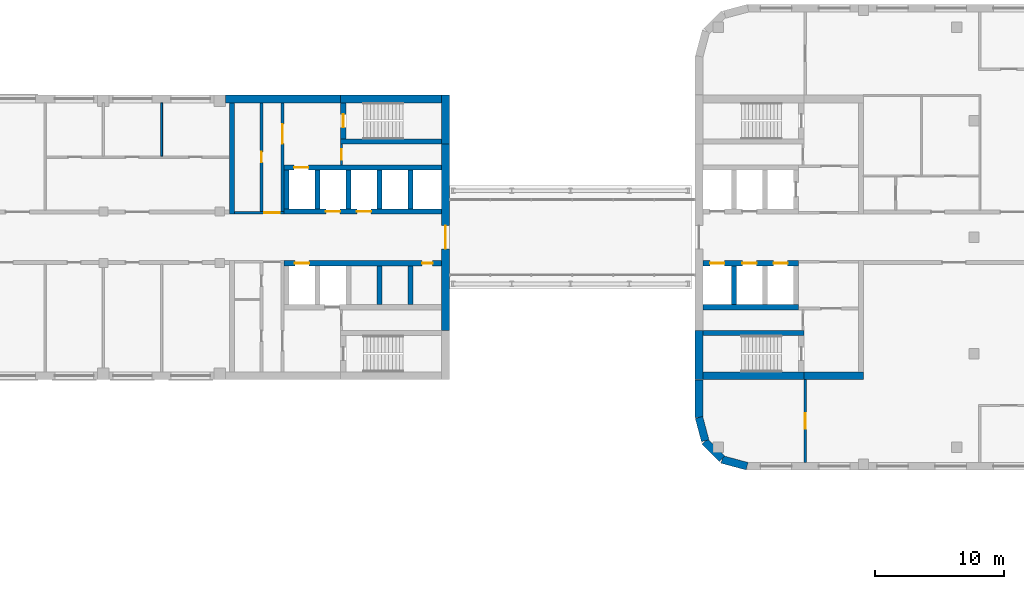
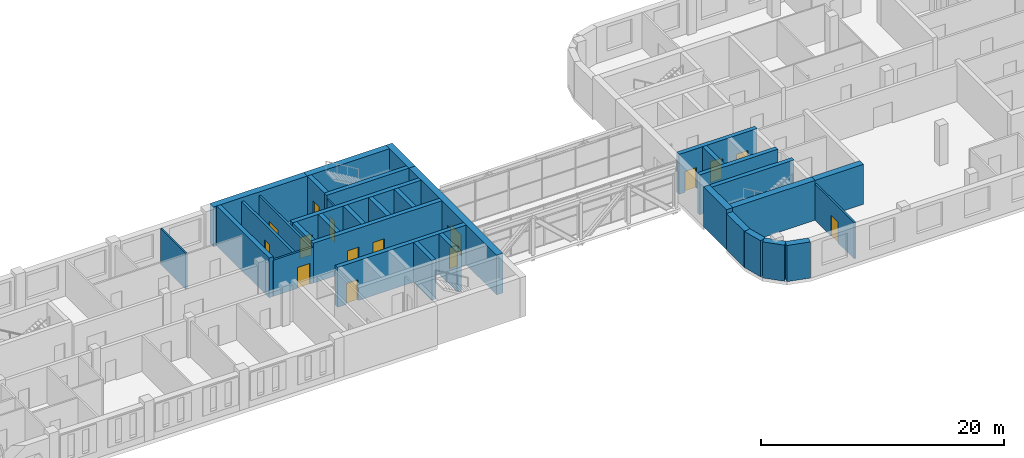
# One storey, part 9 of 18: 34 walls, 15 doors, 15 openings.
"""IFC4 building model written with IfcOpenShell, lengths in metres."""

from ifc_helpers import new_model, si_unit, direction, frame, frame_2d, origin, place, context, subcontext, project, spatial, rectangle, extrude, material, layer, layer_set, type_object, element, fill, save


model = new_model("IFC4")

# Units and contexts
model_context = context("Model", 3, precision=1e-05, world=origin(), true_north=direction((0.0, 1.0)))
body_context = subcontext(model_context, "Body", "Model", "MODEL_VIEW")
ifc_project = project(units=[si_unit("LENGTHUNIT", "METRE"), si_unit("AREAUNIT", "SQUARE_METRE"), si_unit("VOLUMEUNIT", "CUBIC_METRE"), si_unit("PLANEANGLEUNIT", "RADIAN"), si_unit("MASSUNIT", "GRAM", prefix="KILO")], contexts=[model_context])

# Site, building, storey
site_placement = place(None, origin())
site = spatial("IfcSite", under=ifc_project, at=site_placement, CompositionType="ELEMENT")
building_placement = place(site_placement, origin())
building = spatial("IfcBuilding", under=site, at=building_placement, Name="Skarvind Civic Tower", CompositionType="ELEMENT")
storey_placement = place(building_placement, frame((0.0, 0.0, 31.5)))
storey = spatial("IfcBuildingStorey", under=building, at=storey_placement, Name="L06", CompositionType="ELEMENT", Elevation=31.5)

# Wall, opening, door
ifc_material_1 = material(Name="Acoustic gypsum board on steel studs", Category="steel")
ifc_layer_1 = layer(ifc_material_1, 0.175048828125)
ifc_layer_set_1 = layer_set([ifc_layer_1], Name="ACOUSTIC MEETING-ROOM PARTITION 175")
wall_type_1 = type_object("IfcWallType", Name="ACOUSTIC MEETING-ROOM PARTITION 175", PredefinedType="PARTITIONING", material=ifc_layer_set_1)
wall_1_placement = place(storey_placement, frame((135.5, 117.0, 0.0), z_axis=(0.0, 0.0, 1.0), x_axis=(0.0, -1.0, 0.0)))
wall_1 = element("IfcWall", 1, at=wall_1_placement, inside=storey, type_object=wall_type_1, Name="Partition 06.001", PredefinedType="PARTITIONING", context=body_context, shape_type="SweptSolid", body=[
    extrude(rectangle(XDim=6.39990234375, YDim=0.175048828125, at=frame_2d((3.199951171875, 0.0))), origin(), (0.0, 0.0, 1.0), 3.625),
])
opening_1_placement = place(wall_1_placement, frame((2.60009765625, 0.0, 0.0)))
opening_1 = element("IfcOpeningElement", 2, at=opening_1_placement, cuts=wall_1, Name="Opening L06-D111", PredefinedType="OPENING", context=body_context, shape_type="SweptSolid", body=[
    extrude(rectangle(XDim=1.199951171875, YDim=2.10009765625, at=frame_2d((0.60009765625, 1.050048828125))), frame((0.0, 0.097412109375, 0.0), z_axis=(0.0, -1.0, 0.0), x_axis=(1.0, 0.0, 0.0)), (0.0, 0.0, 1.0), 0.195068359375),
])
ifc_material_2 = material(Name="Timber door leaf", Category="wood")
door_type_1 = type_object("IfcDoorType", Name="DOOR 1200X2100 DOUBLE TIMBER", OperationType="NOTDEFINED", PredefinedType="DOOR", material=ifc_material_2)
door_1_placement = place(opening_1_placement, origin())
door_1 = element("IfcDoor", 3, at=door_1_placement, inside=storey, type_object=door_type_1, Name="Door L06-D111", OperationType="DOUBLE_DOOR_SINGLE_SWING", OverallHeight=2.10009765625, OverallWidth=1.199951171875, PredefinedType="DOOR", context=body_context, shape_type="SweptSolid", body=[
    extrude(rectangle(XDim=1.199951171875, YDim=2.10009765625, at=frame_2d((0.60009765625, 1.050048828125))), frame((0.0, 0.02490234375, 0.0), z_axis=(0.0, -1.0, 0.0), x_axis=(1.0, 0.0, 0.0)), (0.0, 0.0, 1.0), 0.050048828125),
])
fill(opening_1, door_1)

ifc_material_3 = material(Name="Fire-rated masonry partition", Category="masonry")
ifc_layer_2 = layer(ifc_material_3, 0.199951171875)
ifc_layer_set_2 = layer_set([ifc_layer_2], Name="Core enclosure wall 200")
wall_type_2 = type_object("IfcWallType", Name="Core enclosure wall 200", PredefinedType="PARTITIONING", material=ifc_layer_set_2)
wall_2_placement = place(storey_placement, frame((91.39990234375, 129.89990234375, 0.0), z_axis=(0.0, 0.0, 1.0), x_axis=(1.0, 0.0, 0.0)))
wall_2 = element("IfcWall", 4, at=wall_2_placement, inside=storey, type_object=wall_type_2, Name="Core wall C1", PredefinedType="PARTITIONING", context=body_context, shape_type="SweptSolid", body=[
    extrude(rectangle(XDim=3.800048828125, YDim=0.199951171875, at=frame_2d((1.89990234375, 0.0))), origin(), (0.0, 0.0, 1.0), 3.625),
])
opening_2_placement = place(wall_2_placement, frame((2.300048828125, 0.0, 0.0)))
opening_2 = element("IfcOpeningElement", 5, at=opening_2_placement, cuts=wall_2, Name="Opening D-L06-C1-11", PredefinedType="OPENING", context=body_context, shape_type="SweptSolid", body=[
    extrude(rectangle(XDim=1.199951171875, YDim=2.10009765625, at=frame_2d((0.60009765625, 1.050048828125))), frame((0.0, 0.10986328125, 0.0), z_axis=(0.0, -1.0, 0.0), x_axis=(1.0, 0.0, 0.0)), (0.0, 0.0, 1.0), 0.219970703125),
])
ifc_material_4 = material(Name="Fire-rated steel door", Category="steel")
door_type_2 = type_object("IfcDoorType", Name="Core lobby door 1200", OperationType="NOTDEFINED", PredefinedType="DOOR", material=ifc_material_4)
door_2_placement = place(opening_2_placement, origin())
door_2 = element("IfcDoor", 6, at=door_2_placement, inside=storey, type_object=door_type_2, Name="Fire door", OperationType="DOUBLE_DOOR_SINGLE_SWING", OverallHeight=2.10009765625, OverallWidth=1.199951171875, PredefinedType="DOOR", context=body_context, shape_type="SweptSolid", body=[
    extrude(rectangle(XDim=1.199951171875, YDim=2.10009765625, at=frame_2d((0.60009765625, 1.050048828125))), frame((0.0, 0.02490234375, 0.0), z_axis=(0.0, -1.0, 0.0), x_axis=(1.0, 0.0, 0.0)), (0.0, 0.0, 1.0), 0.050048828125),
])
fill(opening_2, door_2)

wall_3_placement = place(storey_placement, frame((95.10009765625, 130.0, 0.0), z_axis=(0.0, 0.0, 1.0), x_axis=(0.0, 1.0, 0.0)))
wall_3 = element("IfcWall", 7, at=wall_3_placement, inside=storey, type_object=wall_type_2, Name="Core wall C1", PredefinedType="PARTITIONING", context=body_context, shape_type="SweptSolid", body=[
    extrude(rectangle(XDim=8.39990234375, YDim=0.199951171875, at=frame_2d((4.199951171875, 0.0))), origin(), (0.0, 0.0, 1.0), 3.625),
])
opening_3_placement = place(wall_3_placement, frame((5.25, 0.0, 0.0)))
opening_3 = element("IfcOpeningElement", 8, at=opening_3_placement, cuts=wall_3, Name="Opening D-L06-C1-12", PredefinedType="OPENING", context=body_context, shape_type="SweptSolid", body=[
    extrude(rectangle(XDim=1.5, YDim=2.10009765625, at=frame_2d((0.75, 1.050048828125))), frame((0.0, 0.10986328125, 0.0), z_axis=(0.0, -1.0, 0.0), x_axis=(1.0, 0.0, 0.0)), (0.0, 0.0, 1.0), 0.219970703125),
])
door_type_3 = type_object("IfcDoorType", Name="Fire door 1500", OperationType="NOTDEFINED", PredefinedType="DOOR", material=ifc_material_4)
door_3_placement = place(opening_3_placement, origin())
door_3 = element("IfcDoor", 9, at=door_3_placement, inside=storey, type_object=door_type_3, Name="Fire door", OperationType="DOUBLE_DOOR_SINGLE_SWING", OverallHeight=2.10009765625, OverallWidth=1.5, PredefinedType="DOOR", context=body_context, shape_type="SweptSolid", body=[
    extrude(rectangle(XDim=1.5, YDim=2.10009765625, at=frame_2d((0.75, 1.050048828125))), frame((0.0, 0.02490234375, 0.0), z_axis=(0.0, -1.0, 0.0), x_axis=(1.0, 0.0, 0.0)), (0.0, 0.0, 1.0), 0.050048828125),
])
fill(opening_3, door_3)

# Wall
ifc_material_5 = material(Name="Concrete C80", Category="concrete")
ifc_layer_3 = layer(ifc_material_5, 0.39990234375)
ifc_layer_set_3 = layer_set([ifc_layer_3], Name="Core wall 400 C80")
wall_type_3 = type_object("IfcWallType", Name="Core wall 400 C80", PredefinedType="SHEAR", material=ifc_layer_set_3)
wall_4_placement = place(storey_placement, frame((107.39990234375, 135.39990234375, 0.0), z_axis=(0.0, 0.0, 1.0), x_axis=(-1.0, 0.0, 0.0)))
element("IfcWall", 10, at=wall_4_placement, inside=storey, type_object=wall_type_3, Name="Core wall C1 south stair inner L06", PredefinedType="SHEAR", context=body_context, shape_type="SweptSolid", body=[
    extrude(rectangle(XDim=7.7998046875, YDim=0.39990234375, at=frame_2d((3.89990234375, 0.0))), origin(), (0.0, 0.0, 1.0), 4.0),
])

# Wall, opening, door
wall_5_placement = place(storey_placement, frame((99.800048828125, 138.39990234375, 0.0), z_axis=(0.0, 0.0, 1.0), x_axis=(0.0, -1.0, 0.0)))
wall_5 = element("IfcWall", 11, at=wall_5_placement, inside=storey, type_object=wall_type_3, Name="Core wall C1 south stair end L06", PredefinedType="SHEAR", context=body_context, shape_type="SweptSolid", body=[
    extrude(rectangle(XDim=2.7998046875, YDim=0.39990234375, at=frame_2d((1.39990234375, 0.0))), origin(), (0.0, 0.0, 1.0), 4.0),
])
opening_4_placement = place(wall_5_placement, frame((0.89990234375, 0.0, 0.0)))
opening_4 = element("IfcOpeningElement", 12, at=opening_4_placement, cuts=wall_5, Name="Opening D-L06-C1-13", PredefinedType="OPENING", context=body_context, shape_type="SweptSolid", body=[
    extrude(rectangle(XDim=1.0, YDim=2.10009765625, at=frame_2d((0.5, 1.050048828125))), frame((0.0, 0.2099609375, 0.0), z_axis=(0.0, -1.0, 0.0), x_axis=(1.0, 0.0, 0.0)), (0.0, 0.0, 1.0), 0.419921875),
])
door_type_4 = type_object("IfcDoorType", Name="Fire door 1000", OperationType="NOTDEFINED", PredefinedType="DOOR", material=ifc_material_4)
door_4_placement = place(opening_4_placement, origin())
door_4 = element("IfcDoor", 13, at=door_4_placement, inside=storey, type_object=door_type_4, Name="Fire door", OperationType="SINGLE_SWING_RIGHT", OverallHeight=2.10009765625, OverallWidth=1.0, PredefinedType="DOOR", context=body_context, shape_type="SweptSolid", body=[
    extrude(rectangle(XDim=1.0, YDim=2.10009765625, at=frame_2d((0.5, 1.050048828125))), frame((0.0, 0.02490234375, 0.0), z_axis=(0.0, -1.0, 0.0), x_axis=(1.0, 0.0, 0.0)), (0.0, 0.0, 1.0), 0.050048828125),
])
fill(opening_4, door_4)

# Wall, openings, doors
wall_6_placement = place(storey_placement, frame((107.39990234375, 130.0, 0.0), z_axis=(0.0, 0.0, 1.0), x_axis=(-1.0, 0.0, 0.0)))
wall_6 = element("IfcWall", 14, at=wall_6_placement, inside=storey, type_object=wall_type_3, Name="Core wall C1 south lift row front L06", PredefinedType="SHEAR", context=body_context, shape_type="SweptSolid", body=[
    extrude(rectangle(XDim=12.199951171875, YDim=0.39990234375, at=frame_2d((6.10009765625, 0.0))), origin(), (0.0, 0.0, 1.0), 4.0),
])
opening_5_placement = place(wall_6_placement, frame((5.449951171875, 0.0, 0.0)))
opening_5 = element("IfcOpeningElement", 15, at=opening_5_placement, cuts=wall_6, Name="Opening LD08108", PredefinedType="OPENING", context=body_context, shape_type="SweptSolid", body=[
    extrude(rectangle(XDim=1.10009765625, YDim=2.10009765625, at=frame_2d((0.550048828125, 1.050048828125))), frame((0.0, 0.2099609375, 0.0), z_axis=(0.0, -1.0, 0.0), x_axis=(1.0, 0.0, 0.0)), (0.0, 0.0, 1.0), 0.419921875),
])
opening_6_placement = place(wall_6_placement, frame((7.85009765625, 0.0, 0.0)))
opening_6 = element("IfcOpeningElement", 16, at=opening_6_placement, cuts=wall_6, Name="Opening LD08109", PredefinedType="OPENING", context=body_context, shape_type="SweptSolid", body=[
    extrude(rectangle(XDim=1.10009765625, YDim=2.10009765625, at=frame_2d((0.550048828125, 1.050048828125))), frame((0.0, 0.2099609375, 0.0), z_axis=(0.0, -1.0, 0.0), x_axis=(1.0, 0.0, 0.0)), (0.0, 0.0, 1.0), 0.419921875),
])
ifc_material_6 = material(Name="Stainless steel landing door", Category="steel")
door_type_5 = type_object("IfcDoorType", Name="Lift landing door 1100", OperationType="DOUBLE_DOOR_SLIDING", PredefinedType="DOOR", material=ifc_material_6)
door_5_placement = place(opening_5_placement, origin())
door_5 = element("IfcDoor", 17, at=door_5_placement, inside=storey, type_object=door_type_5, Name="Lift landing door", OperationType="DOUBLE_DOOR_SLIDING", OverallHeight=2.10009765625, OverallWidth=1.10009765625, PredefinedType="DOOR", context=body_context, shape_type="SweptSolid", body=[
    extrude(rectangle(XDim=1.10009765625, YDim=2.10009765625, at=frame_2d((0.550048828125, 1.050048828125))), frame((0.0, 0.02490234375, 0.0), z_axis=(0.0, -1.0, 0.0), x_axis=(1.0, 0.0, 0.0)), (0.0, 0.0, 1.0), 0.050048828125),
])
fill(opening_5, door_5)
door_6_placement = place(opening_6_placement, origin())
door_6 = element("IfcDoor", 18, at=door_6_placement, inside=storey, type_object=door_type_5, Name="Lift landing door", OperationType="DOUBLE_DOOR_SLIDING", OverallHeight=2.10009765625, OverallWidth=1.10009765625, PredefinedType="DOOR", context=body_context, shape_type="SweptSolid", body=[
    extrude(rectangle(XDim=1.10009765625, YDim=2.10009765625, at=frame_2d((0.550048828125, 1.050048828125))), frame((0.0, 0.02490234375, 0.0), z_axis=(0.0, -1.0, 0.0), x_axis=(1.0, 0.0, 0.0)), (0.0, 0.0, 1.0), 0.050048828125),
])
fill(opening_6, door_6)

# Wall, opening, door
wall_7_placement = place(storey_placement, frame((107.39990234375, 133.39990234375, 0.0), z_axis=(0.0, 0.0, 1.0), x_axis=(-1.0, 0.0, 0.0)))
wall_7 = element("IfcWall", 19, at=wall_7_placement, inside=storey, type_object=wall_type_3, Name="Core wall C1 south lift row back L06", PredefinedType="SHEAR", context=body_context, shape_type="SweptSolid", body=[
    extrude(rectangle(XDim=12.199951171875, YDim=0.39990234375, at=frame_2d((6.10009765625, 0.0))), origin(), (0.0, 0.0, 1.0), 4.0),
])
opening_7_placement = place(wall_7_placement, frame((10.300048828125, 0.0, 0.0)))
opening_7 = element("IfcOpeningElement", 20, at=opening_7_placement, cuts=wall_7, Name="Opening LD08110", PredefinedType="OPENING", context=body_context, shape_type="SweptSolid", body=[
    extrude(rectangle(XDim=1.10009765625, YDim=2.10009765625, at=frame_2d((0.550048828125, 1.050048828125))), frame((0.0, 0.2099609375, 0.0), z_axis=(0.0, -1.0, 0.0), x_axis=(1.0, 0.0, 0.0)), (0.0, 0.0, 1.0), 0.419921875),
])
door_7_placement = place(opening_7_placement, origin())
door_7 = element("IfcDoor", 21, at=door_7_placement, inside=storey, type_object=door_type_5, Name="Lift landing door", OperationType="DOUBLE_DOOR_SLIDING", OverallHeight=2.10009765625, OverallWidth=1.10009765625, PredefinedType="DOOR", context=body_context, shape_type="SweptSolid", body=[
    extrude(rectangle(XDim=1.10009765625, YDim=2.10009765625, at=frame_2d((0.550048828125, 1.050048828125))), frame((0.0, 0.02490234375, 0.0), z_axis=(0.0, -1.0, 0.0), x_axis=(1.0, 0.0, 0.0)), (0.0, 0.0, 1.0), 0.050048828125),
])
fill(opening_7, door_7)

# Walls
for number, where, z_axis, x_axis, name in (
    (22, (105.0, 133.199951171875, 0.0), (0.0, 0.0, 1.0), (0.0, -1.0, 0.0), "Core wall C1 south lift row division 1 L06"),
    (23, (102.60009765625, 133.199951171875, 0.0), (0.0, 0.0, 1.0), (0.0, -1.0, 0.0), "Core wall C1 south lift row division 2 L06"),
    (24, (100.199951171875, 133.199951171875, 0.0), (0.0, 0.0, 1.0), (0.0, -1.0, 0.0), "Core wall C1 south lift row division 3 L06"),
    (25, (97.800048828125, 133.199951171875, 0.0), (0.0, 0.0, 1.0), (0.0, -1.0, 0.0), "Core wall C1 south lift row division 4 L06"),
    (26, (95.39990234375, 133.199951171875, 0.0), (0.0, 0.0, 1.0), (0.0, -1.0, 0.0), "Core wall C1 south lift row division 5 L06"),
):
    element("IfcWall", number, at=place(storey_placement, frame(where, z_axis=z_axis, x_axis=x_axis)), inside=storey, type_object=wall_type_3, Name=name, PredefinedType="SHEAR", context=body_context, shape_type="SweptSolid", body=[
        extrude(rectangle(XDim=3.0, YDim=0.39990234375, at=frame_2d((1.5, 0.0))), origin(), (0.0, 0.0, 1.0), 4.0),
    ])

# Wall, openings, doors
wall_8_placement = place(storey_placement, frame((107.39990234375, 126.0, 0.0), z_axis=(0.0, 0.0, 1.0), x_axis=(-1.0, 0.0, 0.0)))
wall_8 = element("IfcWall", 27, at=wall_8_placement, inside=storey, type_object=wall_type_3, Name="Core wall C1 north lift row front L06", PredefinedType="SHEAR", context=body_context, shape_type="SweptSolid", body=[
    extrude(rectangle(XDim=12.199951171875, YDim=0.39990234375, at=frame_2d((6.10009765625, 0.0))), origin(), (0.0, 0.0, 1.0), 4.0),
])
opening_8_placement = place(wall_8_placement, frame((10.25, 0.0, 0.0)))
opening_8 = element("IfcOpeningElement", 28, at=opening_8_placement, cuts=wall_8, Name="Opening LD08105", PredefinedType="OPENING", context=body_context, shape_type="SweptSolid", body=[
    extrude(rectangle(XDim=1.10009765625, YDim=2.10009765625, at=frame_2d((0.550048828125, 1.050048828125))), frame((0.0, 0.2099609375, 0.0), z_axis=(0.0, -1.0, 0.0), x_axis=(1.0, 0.0, 0.0)), (0.0, 0.0, 1.0), 0.419921875),
])
opening_9_placement = place(wall_8_placement, frame((0.699951171875, 0.0, 0.0)))
opening_9 = element("IfcOpeningElement", 29, at=opening_9_placement, cuts=wall_8, Name="Opening D-L06-C1-04", PredefinedType="OPENING", context=body_context, shape_type="SweptSolid", body=[
    extrude(rectangle(XDim=0.800048828125, YDim=2.10009765625, at=frame_2d((0.39990234375, 1.050048828125))), frame((0.0, 0.2099609375, 0.0), z_axis=(0.0, -1.0, 0.0), x_axis=(1.0, 0.0, 0.0)), (0.0, 0.0, 1.0), 0.419921875),
])
door_type_6 = type_object("IfcDoorType", Name="Core riser door 800", OperationType="NOTDEFINED", PredefinedType="DOOR", material=ifc_material_4)
door_8_placement = place(opening_9_placement, origin())
door_8 = element("IfcDoor", 30, at=door_8_placement, inside=storey, type_object=door_type_6, Name="Riser door", OperationType="SINGLE_SWING_LEFT", OverallHeight=2.10009765625, OverallWidth=0.800048828125, PredefinedType="DOOR", context=body_context, shape_type="SweptSolid", body=[
    extrude(rectangle(XDim=0.800048828125, YDim=2.10009765625, at=frame_2d((0.39990234375, 1.050048828125))), frame((0.0, 0.02490234375, 0.0), z_axis=(0.0, -1.0, 0.0), x_axis=(1.0, 0.0, 0.0)), (0.0, 0.0, 1.0), 0.050048828125),
])
fill(opening_9, door_8)
door_9_placement = place(opening_8_placement, origin())
door_9 = element("IfcDoor", 31, at=door_9_placement, inside=storey, type_object=door_type_5, Name="Lift landing door", OperationType="DOUBLE_DOOR_SLIDING", OverallHeight=2.10009765625, OverallWidth=1.10009765625, PredefinedType="DOOR", context=body_context, shape_type="SweptSolid", body=[
    extrude(rectangle(XDim=1.10009765625, YDim=2.10009765625, at=frame_2d((0.550048828125, 1.050048828125))), frame((0.0, 0.02490234375, 0.0), z_axis=(0.0, -1.0, 0.0), x_axis=(1.0, 0.0, 0.0)), (0.0, 0.0, 1.0), 0.050048828125),
])
fill(opening_8, door_9)

# Walls
for number, where, z_axis, x_axis, name in (
    (32, (105.0, 125.800048828125, 0.0), (0.0, 0.0, 1.0), (0.0, -1.0, 0.0), "Core wall C1 north lift row division 1 L06"),
    (33, (102.60009765625, 125.800048828125, 0.0), (0.0, 0.0, 1.0), (0.0, -1.0, 0.0), "Core wall C1 north lift row division 2 L06"),
):
    element("IfcWall", number, at=place(storey_placement, frame(where, z_axis=z_axis, x_axis=x_axis)), inside=storey, type_object=wall_type_3, Name=name, PredefinedType="SHEAR", context=body_context, shape_type="SweptSolid", body=[
        extrude(rectangle(XDim=3.0, YDim=0.39990234375, at=frame_2d((1.5, 0.0))), origin(), (0.0, 0.0, 1.0), 4.0),
    ])
wall_9_placement = place(storey_placement, frame((91.199951171875, 138.39990234375, 0.0), z_axis=(0.0, 0.0, 1.0), x_axis=(0.0, -1.0, 0.0)))
element("IfcWall", 34, at=wall_9_placement, inside=storey, type_object=wall_type_3, Name="Core wall C1 south inner face L06", PredefinedType="SHEAR", context=body_context, shape_type="SweptSolid", body=[
    extrude(rectangle(XDim=8.599853515625, YDim=0.39990234375, at=frame_2d((4.2998046875, 0.0))), origin(), (0.0, 0.0, 1.0), 4.0),
])
wall_10_placement = place(storey_placement, frame((127.60009765625, 120.60009765625, 0.0), z_axis=(0.0, 0.0, 1.0), x_axis=(1.0, 0.0, 0.0)))
element("IfcWall", 35, at=wall_10_placement, inside=storey, type_object=wall_type_3, Name="Core wall CA south stair inner L06", PredefinedType="SHEAR", context=body_context, shape_type="SweptSolid", body=[
    extrude(rectangle(XDim=7.7998046875, YDim=0.39990234375, at=frame_2d((3.89990234375, 0.0))), origin(), (0.0, 0.0, 1.0), 4.0),
])

# Wall, openings, doors
wall_11_placement = place(storey_placement, frame((127.60009765625, 126.0, 0.0), z_axis=(0.0, 0.0, 1.0), x_axis=(1.0, 0.0, 0.0)))
wall_11 = element("IfcWall", 36, at=wall_11_placement, inside=storey, type_object=wall_type_3, Name="Core wall CA south lift row front L06", PredefinedType="SHEAR", context=body_context, shape_type="SweptSolid", body=[
    extrude(rectangle(XDim=7.39990234375, YDim=0.39990234375, at=frame_2d((3.699951171875, 0.0))), origin(), (0.0, 0.0, 1.0), 4.0),
])
opening_10_placement = place(wall_11_placement, frame((0.550048828125, 0.0, 0.0)))
opening_10 = element("IfcOpeningElement", 37, at=opening_10_placement, cuts=wall_11, Name="Opening LD08304", PredefinedType="OPENING", context=body_context, shape_type="SweptSolid", body=[
    extrude(rectangle(XDim=1.10009765625, YDim=2.10009765625, at=frame_2d((0.550048828125, 1.050048828125))), frame((0.0, 0.2099609375, 0.0), z_axis=(0.0, -1.0, 0.0), x_axis=(1.0, 0.0, 0.0)), (0.0, 0.0, 1.0), 0.419921875),
])
opening_11_placement = place(wall_11_placement, frame((3.050048828125, 0.0, 0.0)))
opening_11 = element("IfcOpeningElement", 38, at=opening_11_placement, cuts=wall_11, Name="Opening LD08305", PredefinedType="OPENING", context=body_context, shape_type="SweptSolid", body=[
    extrude(rectangle(XDim=1.10009765625, YDim=2.10009765625, at=frame_2d((0.550048828125, 1.050048828125))), frame((0.0, 0.2099609375, 0.0), z_axis=(0.0, -1.0, 0.0), x_axis=(1.0, 0.0, 0.0)), (0.0, 0.0, 1.0), 0.419921875),
])
opening_12_placement = place(wall_11_placement, frame((5.449951171875, 0.0, 0.0)))
opening_12 = element("IfcOpeningElement", 39, at=opening_12_placement, cuts=wall_11, Name="Opening LD08306", PredefinedType="OPENING", context=body_context, shape_type="SweptSolid", body=[
    extrude(rectangle(XDim=1.10009765625, YDim=2.10009765625, at=frame_2d((0.550048828125, 1.050048828125))), frame((0.0, 0.2099609375, 0.0), z_axis=(0.0, -1.0, 0.0), x_axis=(1.0, 0.0, 0.0)), (0.0, 0.0, 1.0), 0.419921875),
])
door_10_placement = place(opening_10_placement, origin())
door_10 = element("IfcDoor", 40, at=door_10_placement, inside=storey, type_object=door_type_5, Name="Lift landing door", OperationType="DOUBLE_DOOR_SLIDING", OverallHeight=2.10009765625, OverallWidth=1.10009765625, PredefinedType="DOOR", context=body_context, shape_type="SweptSolid", body=[
    extrude(rectangle(XDim=1.10009765625, YDim=2.10009765625, at=frame_2d((0.550048828125, 1.050048828125))), frame((0.0, 0.02490234375, 0.0), z_axis=(0.0, -1.0, 0.0), x_axis=(1.0, 0.0, 0.0)), (0.0, 0.0, 1.0), 0.050048828125),
])
fill(opening_10, door_10)
door_11_placement = place(opening_11_placement, origin())
door_11 = element("IfcDoor", 41, at=door_11_placement, inside=storey, type_object=door_type_5, Name="Lift landing door", OperationType="DOUBLE_DOOR_SLIDING", OverallHeight=2.10009765625, OverallWidth=1.10009765625, PredefinedType="DOOR", context=body_context, shape_type="SweptSolid", body=[
    extrude(rectangle(XDim=1.10009765625, YDim=2.10009765625, at=frame_2d((0.550048828125, 1.050048828125))), frame((0.0, 0.02490234375, 0.0), z_axis=(0.0, -1.0, 0.0), x_axis=(1.0, 0.0, 0.0)), (0.0, 0.0, 1.0), 0.050048828125),
])
fill(opening_11, door_11)
door_12_placement = place(opening_12_placement, origin())
door_12 = element("IfcDoor", 42, at=door_12_placement, inside=storey, type_object=door_type_5, Name="Lift landing door", OperationType="DOUBLE_DOOR_SLIDING", OverallHeight=2.10009765625, OverallWidth=1.10009765625, PredefinedType="DOOR", context=body_context, shape_type="SweptSolid", body=[
    extrude(rectangle(XDim=1.10009765625, YDim=2.10009765625, at=frame_2d((0.550048828125, 1.050048828125))), frame((0.0, 0.02490234375, 0.0), z_axis=(0.0, -1.0, 0.0), x_axis=(1.0, 0.0, 0.0)), (0.0, 0.0, 1.0), 0.050048828125),
])
fill(opening_12, door_12)

# Walls
wall_12_placement = place(storey_placement, frame((127.60009765625, 122.60009765625, 0.0), z_axis=(0.0, 0.0, 1.0), x_axis=(1.0, 0.0, 0.0)))
element("IfcWall", 43, at=wall_12_placement, inside=storey, type_object=wall_type_3, Name="Core wall CA south lift row back L06", PredefinedType="SHEAR", context=body_context, shape_type="SweptSolid", body=[
    extrude(rectangle(XDim=7.39990234375, YDim=0.39990234375, at=frame_2d((3.699951171875, 0.0))), origin(), (0.0, 0.0, 1.0), 4.0),
])
wall_13_placement = place(storey_placement, frame((130.0, 122.800048828125, 0.0), z_axis=(0.0, 0.0, 1.0), x_axis=(0.0, 1.0, 0.0)))
element("IfcWall", 44, at=wall_13_placement, inside=storey, type_object=wall_type_3, Name="Core wall CA south lift row division 1 L06", PredefinedType="SHEAR", context=body_context, shape_type="SweptSolid", body=[
    extrude(rectangle(XDim=3.0, YDim=0.39990234375, at=frame_2d((1.5, 0.0))), origin(), (0.0, 0.0, 1.0), 4.0),
])
ifc_layer_4 = layer(ifc_material_5, 0.60009765625)
ifc_layer_set_4 = layer_set([ifc_layer_4], Name="Core wall 600 C80")
wall_type_4 = type_object("IfcWallType", Name="Core wall 600 C80", PredefinedType="SHEAR", material=ifc_layer_set_4)
wall_14_placement = place(storey_placement, frame((107.699951171875, 139.0, 0.0), z_axis=(0.0, 0.0, 1.0), x_axis=(0.0, -1.0, 0.0)))
element("IfcWall", 45, at=wall_14_placement, inside=storey, type_object=wall_type_4, Name="Core wall C1 tip at the south stair L06", PredefinedType="SHEAR", context=body_context, shape_type="SweptSolid", body=[
    extrude(rectangle(XDim=3.800048828125, YDim=0.60009765625, at=frame_2d((1.89990234375, 0.0))), origin(), (0.0, 0.0, 1.0), 4.0),
])

# Wall, opening, door
wall_15_placement = place(storey_placement, frame((107.699951171875, 135.199951171875, 0.0), z_axis=(0.0, 0.0, 1.0), x_axis=(0.0, -1.0, 0.0)))
wall_15 = element("IfcWall", 46, at=wall_15_placement, inside=storey, type_object=wall_type_4, Name="Core wall C1 tip between the stairs L06", PredefinedType="SHEAR", context=body_context, shape_type="SweptSolid", body=[
    extrude(rectangle(XDim=14.39990234375, YDim=0.60009765625, at=frame_2d((7.199951171875, 0.0))), origin(), (0.0, 0.0, 1.0), 4.0),
])
opening_13_placement = place(wall_15_placement, frame((6.300048828125, 0.0, 0.0)))
opening_13 = element("IfcOpeningElement", 47, at=opening_13_placement, cuts=wall_15, Name="Opening D-L06-C1-18", PredefinedType="OPENING", context=body_context, shape_type="SweptSolid", body=[
    extrude(rectangle(XDim=1.800048828125, YDim=2.10009765625, at=frame_2d((0.89990234375, 1.050048828125))), frame((0.0, 0.31005859375, 0.0), z_axis=(0.0, -1.0, 0.0), x_axis=(1.0, 0.0, 0.0)), (0.0, 0.0, 1.0), 0.6201171875),
])
door_type_7 = type_object("IfcDoorType", Name="Fire door pair 1800", OperationType="NOTDEFINED", PredefinedType="DOOR", material=ifc_material_4)
door_13_placement = place(opening_13_placement, origin())
door_13 = element("IfcDoor", 48, at=door_13_placement, inside=storey, type_object=door_type_7, Name="Bridge door", OperationType="DOUBLE_DOOR_SINGLE_SWING", OverallHeight=2.10009765625, OverallWidth=1.800048828125, PredefinedType="DOOR", context=body_context, shape_type="SweptSolid", body=[
    extrude(rectangle(XDim=1.800048828125, YDim=2.10009765625, at=frame_2d((0.89990234375, 1.050048828125))), frame((0.0, 0.02490234375, 0.0), z_axis=(0.0, -1.0, 0.0), x_axis=(1.0, 0.0, 0.0)), (0.0, 0.0, 1.0), 0.050048828125),
])
fill(opening_13, door_13)

# Walls
wall_16_placement = place(storey_placement, frame((107.39990234375, 138.699951171875, 0.0), z_axis=(0.0, 0.0, 1.0), x_axis=(-1.0, 0.0, 0.0)))
element("IfcWall", 49, at=wall_16_placement, inside=storey, type_object=wall_type_4, Name="Core wall C1 south side at the stair L06", PredefinedType="SHEAR", context=body_context, shape_type="SweptSolid", body=[
    extrude(rectangle(XDim=7.7998046875, YDim=0.60009765625, at=frame_2d((3.89990234375, 0.0))), origin(), (0.0, 0.0, 1.0), 4.0),
])
wall_17_placement = place(storey_placement, frame((99.60009765625, 138.699951171875, 0.0), z_axis=(0.0, 0.0, 1.0), x_axis=(-1.0, 0.0, 0.0)))
element("IfcWall", 50, at=wall_17_placement, inside=storey, type_object=wall_type_4, Name="Core wall C1 south side L06", PredefinedType="SHEAR", context=body_context, shape_type="SweptSolid", body=[
    extrude(rectangle(XDim=8.900146484375, YDim=0.60009765625, at=frame_2d((4.4501953125, 0.0))), origin(), (0.0, 0.0, 1.0), 4.0),
])
wall_18_placement = place(storey_placement, frame((127.300048828125, 117.0, 0.0), z_axis=(0.0, 0.0, 1.0), x_axis=(0.0, 1.0, 0.0)))
element("IfcWall", 51, at=wall_18_placement, inside=storey, type_object=wall_type_4, Name="Core wall CA tip at the south stair L06", PredefinedType="SHEAR", context=body_context, shape_type="SweptSolid", body=[
    extrude(rectangle(XDim=3.800048828125, YDim=0.60009765625, at=frame_2d((1.89990234375, 0.0))), origin(), (0.0, 0.0, 1.0), 4.0),
])
wall_19_placement = place(storey_placement, frame((127.60009765625, 117.300048828125, 0.0), z_axis=(0.0, 0.0, 1.0), x_axis=(1.0, 0.0, 0.0)))
element("IfcWall", 52, at=wall_19_placement, inside=storey, type_object=wall_type_4, Name="Core wall CA south side at the stair L06", PredefinedType="SHEAR", context=body_context, shape_type="SweptSolid", body=[
    extrude(rectangle(XDim=7.7998046875, YDim=0.60009765625, at=frame_2d((3.89990234375, 0.0))), origin(), (0.0, 0.0, 1.0), 4.0),
])
wall_20_placement = place(storey_placement, frame((135.39990234375, 117.300048828125, 0.0), z_axis=(0.0, 0.0, 1.0), x_axis=(1.0, 0.0, 0.0)))
element("IfcWall", 53, at=wall_20_placement, inside=storey, type_object=wall_type_4, Name="Core wall CA south side L06", PredefinedType="SHEAR", context=body_context, shape_type="SweptSolid", body=[
    extrude(rectangle(XDim=4.60009765625, YDim=0.60009765625, at=frame_2d((2.300048828125, 0.0))), origin(), (0.0, 0.0, 1.0), 4.0),
])
ifc_material_7 = material(Name="Plasterboard partition on steel studs", Category="steel")
ifc_layer_5 = layer(ifc_material_7, 0.14990234375)
ifc_layer_set_5 = layer_set([ifc_layer_5], Name="PARTITION 150")
wall_type_5 = type_object("IfcWallType", Name="PARTITION 150", PredefinedType="PARTITIONING", material=ifc_layer_set_5)
wall_21_placement = place(storey_placement, frame((85.75, 134.27490234375, 0.0), z_axis=(0.0, 0.0, 1.0), x_axis=(0.0, 1.0, 0.0)))
element("IfcWall", 54, at=wall_21_placement, inside=storey, type_object=wall_type_5, Name="Partition 06.043", PredefinedType="PARTITIONING", context=body_context, shape_type="SweptSolid", body=[
    extrude(rectangle(XDim=4.125, YDim=0.14990234375, at=frame_2d((2.0625, 0.0))), origin(), (0.0, 0.0, 1.0), 3.625),
])

# Wall, opening, door
ifc_layer_6 = layer(ifc_material_3, 0.125)
ifc_layer_set_6 = layer_set([ifc_layer_6], Name="Riser wall 125")
wall_type_6 = type_object("IfcWallType", Name="Riser wall 125", PredefinedType="PARTITIONING", material=ifc_layer_set_6)
wall_22_placement = place(storey_placement, frame((99.66259765625, 133.60009765625, 0.0), z_axis=(0.0, 0.0, 1.0), x_axis=(0.0, 1.0, 0.0)))
wall_22 = element("IfcWall", 55, at=wall_22_placement, inside=storey, type_object=wall_type_6, Name="Core wall C1", PredefinedType="PARTITIONING", context=body_context, shape_type="SweptSolid", body=[
    extrude(rectangle(XDim=1.599853515625, YDim=0.125, at=frame_2d((0.7998046875, 0.0))), origin(), (0.0, 0.0, 1.0), 3.625),
])
opening_14_placement = place(wall_22_placement, frame((0.39990234375, 0.0, 0.0)))
opening_14 = element("IfcOpeningElement", 56, at=opening_14_placement, cuts=wall_22, Name="Opening D-L06-C1-14", PredefinedType="OPENING", context=body_context, shape_type="SweptSolid", body=[
    extrude(rectangle(XDim=0.800048828125, YDim=2.10009765625, at=frame_2d((0.39990234375, 1.050048828125))), frame((0.0, 0.072509765625, 0.0), z_axis=(0.0, -1.0, 0.0), x_axis=(1.0, 0.0, 0.0)), (0.0, 0.0, 1.0), 0.14501953125),
])
door_14_placement = place(opening_14_placement, origin())
door_14 = element("IfcDoor", 57, at=door_14_placement, inside=storey, type_object=door_type_6, Name="Riser door", OperationType="SINGLE_SWING_LEFT", OverallHeight=2.10009765625, OverallWidth=0.800048828125, PredefinedType="DOOR", context=body_context, shape_type="SweptSolid", body=[
    extrude(rectangle(XDim=0.800048828125, YDim=2.10009765625, at=frame_2d((0.39990234375, 1.050048828125))), frame((0.0, 0.02490234375, 0.0), z_axis=(0.0, -1.0, 0.0), x_axis=(1.0, 0.0, 0.0)), (0.0, 0.0, 1.0), 0.050048828125),
])
fill(opening_14, door_14)

ifc_layer_7 = layer(ifc_material_3, 0.25)
ifc_layer_set_7 = layer_set([ifc_layer_7], Name="Service block wall 250")
wall_type_7 = type_object("IfcWallType", Name="Service block wall 250", PredefinedType="PARTITIONING", material=ifc_layer_set_7)
wall_23_placement = place(storey_placement, frame((93.47509765625, 130.0, 0.0), z_axis=(0.0, 0.0, 1.0), x_axis=(0.0, 1.0, 0.0)))
wall_23 = element("IfcWall", 58, at=wall_23_placement, inside=storey, type_object=wall_type_7, Name="Core wall C1", PredefinedType="PARTITIONING", context=body_context, shape_type="SweptSolid", body=[
    extrude(rectangle(XDim=8.39990234375, YDim=0.25, at=frame_2d((4.199951171875, 0.0))), origin(), (0.0, 0.0, 1.0), 3.625),
])
opening_15_placement = place(wall_23_placement, frame((3.800048828125, 0.0, 0.0)))
opening_15 = element("IfcOpeningElement", 59, at=opening_15_placement, cuts=wall_23, Name="Opening D-L06-C1-15", PredefinedType="OPENING", context=body_context, shape_type="SweptSolid", body=[
    extrude(rectangle(XDim=0.800048828125, YDim=2.10009765625, at=frame_2d((0.39990234375, 1.050048828125))), frame((0.0, 0.135009765625, 0.0), z_axis=(0.0, -1.0, 0.0), x_axis=(1.0, 0.0, 0.0)), (0.0, 0.0, 1.0), 0.27001953125),
])
door_15_placement = place(opening_15_placement, origin())
door_15 = element("IfcDoor", 60, at=door_15_placement, inside=storey, type_object=door_type_6, Name="Riser door", OperationType="SINGLE_SWING_RIGHT", OverallHeight=2.10009765625, OverallWidth=0.800048828125, PredefinedType="DOOR", context=body_context, shape_type="SweptSolid", body=[
    extrude(rectangle(XDim=0.800048828125, YDim=2.10009765625, at=frame_2d((0.39990234375, 1.050048828125))), frame((0.0, 0.02490234375, 0.0), z_axis=(0.0, -1.0, 0.0), x_axis=(1.0, 0.0, 0.0)), (0.0, 0.0, 1.0), 0.050048828125),
])
fill(opening_15, door_15)

# Walls
ifc_material_8 = material(Name="Limestone masonry cladding on insulated backing", Category="masonry")
ifc_layer_8 = layer(ifc_material_8, 0.60009765625)
ifc_layer_set_8 = layer_set([ifc_layer_8], Name="WX1 STONE FACADE WALL 600")
wall_type_8 = type_object("IfcWallType", Name="WX1 STONE FACADE WALL 600", PredefinedType="SOLIDWALL", material=ifc_layer_set_8)
wall_24_placement = place(storey_placement, frame((127.300048828125, 114.070068359375, 0.0), z_axis=(0.0, 0.0, 1.0), x_axis=(0.0, 1.0, 0.0)))
element("IfcWall", 61, at=wall_24_placement, inside=storey, type_object=wall_type_8, Name="STONE FACADE WALL", PredefinedType="SOLIDWALL", context=body_context, shape_type="SweptSolid", body=[
    extrude(rectangle(XDim=2.909912109375, YDim=0.60009765625, at=frame_2d((1.455078125, 0.0))), origin(), (0.0, 0.0, 1.0), 3.625),
])
for number, where, z_axis, x_axis, name in (
    (62, (127.771240234375, 112.280517578125, 0.0), (0.0, 0.0, 1.0), (-0.258773254036, 0.965938094805, 0.0), "STONE FACADE WALL"),
    (63, (129.063720703125, 110.896484375, 0.0), (0.0, 0.0, 1.0), (-0.707106781187, 0.707106781187, 0.0), "STONE FACADE WALL"),
):
    element("IfcWall", number, at=place(storey_placement, frame(where, z_axis=z_axis, x_axis=x_axis)), inside=storey, type_object=wall_type_8, Name=name, PredefinedType="SOLIDWALL", context=body_context, shape_type="SweptSolid", body=[
        extrude(rectangle(XDim=1.860595703125, YDim=0.60009765625, at=frame_2d((0.93017578125, 0.0))), origin(), (0.0, 0.0, 1.0), 3.625),
    ])
wall_25_placement = place(storey_placement, frame((131.010009765625, 110.307861328125, 0.0), z_axis=(0.0, 0.0, 1.0), x_axis=(-0.965920269068, 0.258839784042, 0.0)))
element("IfcWall", 64, at=wall_25_placement, inside=storey, type_object=wall_type_8, Name="STONE FACADE WALL", PredefinedType="SOLIDWALL", context=body_context, shape_type="SweptSolid", body=[
    extrude(rectangle(XDim=2.00048828125, YDim=0.60009765625, at=frame_2d((1.000244140625, 0.0))), origin(), (0.0, 0.0, 1.0), 3.625),
])

save(model, "model.ifc")
